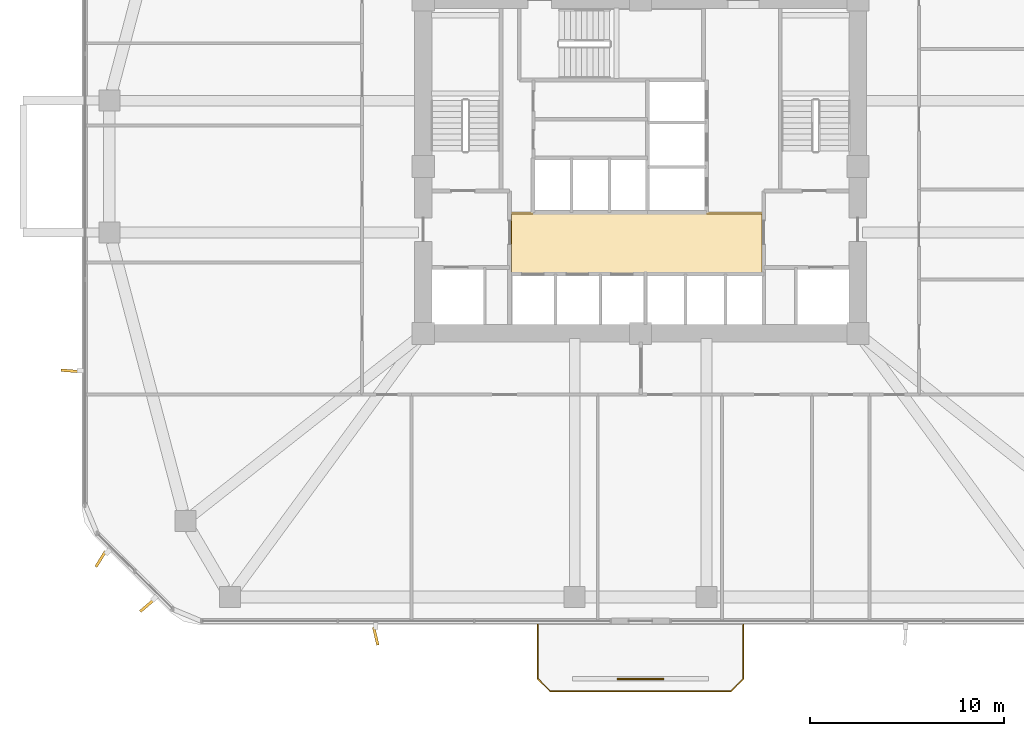
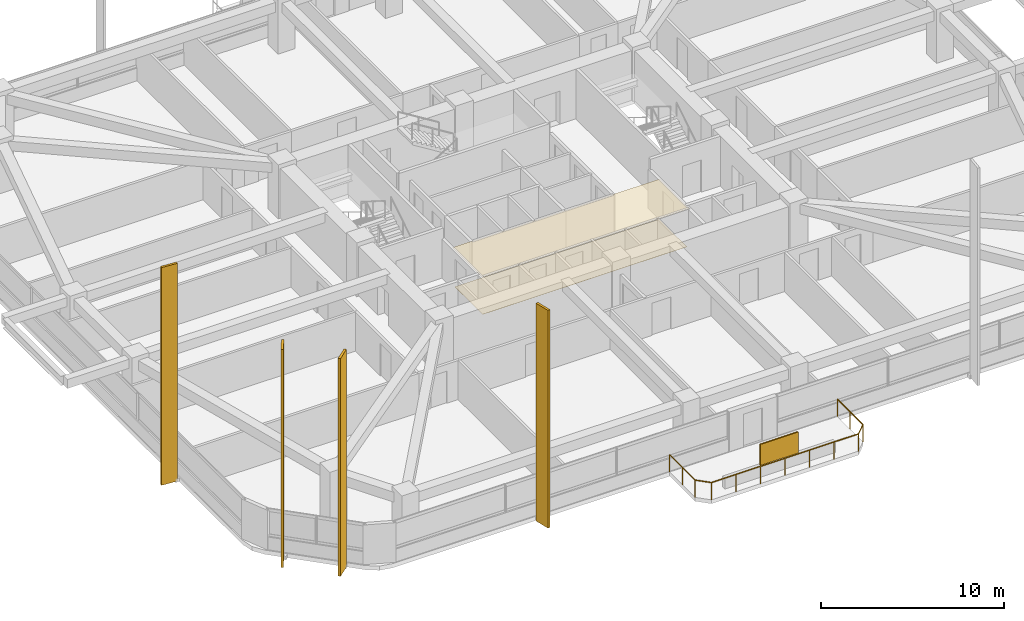
# One storey, part 13 of 17: 5 shading devices, 2 coverings, 1 railing.
"""IFC4 building model written with IfcOpenShell, lengths in metres."""

from ifc_helpers import new_model, si_unit, derived_unit, direction, frame, origin, origin_2d, place, context, subcontext, project, spatial, polyline, rectangle, outline, extrude, material, layer, layer_set, type_object, element, save


model = new_model("IFC4")

# Units and contexts
model_context = context("Model", 3, precision=1e-05, world=origin(), true_north=direction((0.0, 1.0)))
body_context = subcontext(model_context, "Body", "Model", "MODEL_VIEW")
ifc_project = project(units=[si_unit("LENGTHUNIT", "METRE"), si_unit("AREAUNIT", "SQUARE_METRE"), si_unit("VOLUMEUNIT", "CUBIC_METRE"), si_unit("PLANEANGLEUNIT", "RADIAN"), si_unit("MASSUNIT", "GRAM", prefix="KILO"), derived_unit("THERMALTRANSMITTANCEUNIT", [(si_unit("POWERUNIT", "WATT"), 1), (si_unit("LENGTHUNIT", "METRE"), -2), (si_unit("THERMODYNAMICTEMPERATUREUNIT", "KELVIN"), -1)])], contexts=[model_context])

# Site, building, storey
site_placement = place(None, origin())
site = spatial("IfcSite", under=ifc_project, at=site_placement, CompositionType="ELEMENT")
building_placement = place(site_placement, origin())
building = spatial("IfcBuilding", under=site, at=building_placement, Name="Koralith Skygarden Medical Center", CompositionType="ELEMENT")
storey_placement = place(building_placement, frame((0.0, 0.0, 38.340087890625)))
storey = spatial("IfcBuildingStorey", under=building, at=storey_placement, Name="L09", CompositionType="ELEMENT", Elevation=38.340087890625)

# Covering
ifc_material_1 = material(Name="Acoustic Mineral Tile")
ifc_layer_1 = layer(ifc_material_1, 0.02001953125)
ifc_layer_set_1 = layer_set([ifc_layer_1], Name="Acoustic Mineral Tile")
covering_type_1 = type_object("IfcCoveringType", Name="Acoustic Hygienic Mineral Ceiling 20", PredefinedType="CEILING", material=ifc_layer_set_1)
covering_1_placement = place(storey_placement, frame((0.0, 0.0, 2.5849609375)))
element("IfcCovering", 1, at=covering_1_placement, inside=storey, type_object=covering_type_1, Name="L09 Core Lobby Acoustic Ceiling", PredefinedType="CEILING", context=body_context, shape_type="SweptSolid", body=[
    extrude(outline(polyline([(30.25, 20.320068359375), (43.35009765625, 20.320068359375), (43.35009765625, 23.56005859375), (30.25, 23.56005859375), (30.25, 20.320068359375)])), origin(), (0.0, 0.0, 1.0), 0.02001953125),
])

# Shading devices
ifc_material_2 = material(Name="Aluminium 6063-T6", Category="aluminium")
shading_device_type_1 = type_object("IfcShadingDeviceType", Name="Limestone-Clad Solar Storm Fin 950", PredefinedType="USERDEFINED", material=ifc_material_2)
for number, where, z_axis, x_axis, name in (
    (2, (23.35009765625, 1.705078125, -0.2001953125), (0.0, 0.0, 1.0), (0.229251356627, -0.973367256222, 0.0), "L09 S Harmonic Solar Storm Fin 1"),
    (3, (7.60498046875, 15.3701171875, -0.2001953125), (0.0, 0.0, 1.0), (-0.996914594387, 0.07849389466, 0.0), "L09 W Harmonic Solar Storm Fin 2"),
    (4, (9.179931640625, 5.677978515625, -0.2001953125), (0.0, 0.0, 1.0), (-0.526169398592, -0.850379776327, 0.0), "L09 SW Harmonic Solar Storm Fin 1"),
    (5, (11.577880859375, 3.280029296875, -0.2001953125), (0.0, 0.0, 1.0), (-0.76042863515, -0.649421504759, 0.0), "L09 SW Harmonic Solar Storm Fin 2"),
):
    element("IfcShadingDevice", number, at=place(storey_placement, frame(where, z_axis=z_axis, x_axis=x_axis)), inside=storey, type_object=shading_device_type_1, Name=name, ObjectType="SOLAR FIN", PredefinedType="USERDEFINED", context=body_context, shape_type="SweptSolid", body=[
        extrude(rectangle(XDim=0.949951171875, YDim=0.139892578125, at=origin_2d()), origin(), (0.0, 0.0, 1.0), 14.550048828125),
    ])

# Railing
ifc_material_3 = material(Name="Steel ASTM A500 Grade C", Category="steel")
railing_type = type_object("IfcRailingType", Name="Outdoor Terrace & Balcony Safety Guardrail 1180", PredefinedType="GUARDRAIL", material=ifc_material_3)
railing_placement = place(storey_placement, frame((31.699951171875, 2.300048828125, 0.0)))
element("IfcRailing", 6, at=railing_placement, inside=storey, type_object=railing_type, Name="L09 S Balcony Perimeter Guardrail", PredefinedType="GUARDRAIL", context=body_context, shape_type="SweptSolid", body=[
    extrude(rectangle(XDim=0.050048828125, YDim=0.050048828125, at=origin_2d()), frame((0.0, -0.001953125, 1.15478515625), z_axis=(0.0, -1.0, 0.0), x_axis=(1.0, 0.0, 0.0)), (0.0, 0.0, 1.0), 2.796142578125),
    extrude(rectangle(XDim=0.050048828125, YDim=0.050048828125, at=origin_2d()), frame((0.00146484375, -2.801513671875, 1.15478515625), z_axis=(0.707239558722, -0.706973978714, 0.0), x_axis=(0.706973978714, 0.707239558722, 0.0)), (0.0, 0.0, 1.0), 0.915283203125),
    extrude(rectangle(XDim=0.050048828125, YDim=0.050048828125, at=origin_2d()), frame((0.652099609375, -3.449951171875, 1.15478515625), z_axis=(1.0, 0.0, 0.0), x_axis=(0.0, 1.0, 0.0)), (0.0, 0.0, 1.0), 9.2958984375),
    extrude(rectangle(XDim=0.050048828125, YDim=0.050048828125, at=origin_2d()), frame((9.951416015625, -3.448486328125, 1.15478515625), z_axis=(0.707239558722, 0.706973978714, 0.0), x_axis=(-0.706973978714, 0.707239558722, 0.0)), (0.0, 0.0, 1.0), 0.915283203125),
    extrude(rectangle(XDim=0.050048828125, YDim=0.050048828125, at=origin_2d()), frame((10.60009765625, -2.798095703125, 1.15478515625), z_axis=(0.0, 1.0, 0.0), x_axis=(-1.0, 0.0, 0.0)), (0.0, 0.0, 1.0), 2.796142578125),
    extrude(rectangle(XDim=0.0419921875, YDim=0.0419921875, at=origin_2d()), origin(), (0.0, 0.0, 1.0), 1.1279296875),
    extrude(rectangle(XDim=0.0419921875, YDim=0.0419921875, at=origin_2d()), frame((0.0, -1.39990234375, 0.0)), (0.0, 0.0, 1.0), 1.1279296875),
    extrude(rectangle(XDim=0.0419921875, YDim=0.0419921875, at=origin_2d()), frame((0.0, -2.800048828125, 0.0)), (0.0, 0.0, 1.0), 1.1279296875),
    extrude(rectangle(XDim=0.0419921875, YDim=0.0419921875, at=origin_2d()), frame((0.650146484375, -3.449951171875, 0.0)), (0.0, 0.0, 1.0), 1.1279296875),
    extrude(rectangle(XDim=0.0419921875, YDim=0.0419921875, at=origin_2d()), frame((2.2001953125, -3.449951171875, 0.0)), (0.0, 0.0, 1.0), 1.1279296875),
    extrude(rectangle(XDim=0.0419921875, YDim=0.0419921875, at=origin_2d()), frame((3.75, -3.449951171875, 0.0)), (0.0, 0.0, 1.0), 1.1279296875),
    extrude(rectangle(XDim=0.0419921875, YDim=0.0419921875, at=origin_2d()), frame((5.300048828125, -3.449951171875, 0.0)), (0.0, 0.0, 1.0), 1.1279296875),
    extrude(rectangle(XDim=0.0419921875, YDim=0.0419921875, at=origin_2d()), frame((6.85009765625, -3.449951171875, 0.0)), (0.0, 0.0, 1.0), 1.1279296875),
    extrude(rectangle(XDim=0.0419921875, YDim=0.0419921875, at=origin_2d()), frame((8.39990234375, -3.449951171875, 0.0)), (0.0, 0.0, 1.0), 1.1279296875),
    extrude(rectangle(XDim=0.0419921875, YDim=0.0419921875, at=origin_2d()), frame((9.949951171875, -3.449951171875, 0.0)), (0.0, 0.0, 1.0), 1.1279296875),
    extrude(rectangle(XDim=0.0419921875, YDim=0.0419921875, at=origin_2d()), frame((10.60009765625, -2.800048828125, 0.0)), (0.0, 0.0, 1.0), 1.1279296875),
    extrude(rectangle(XDim=0.0419921875, YDim=0.0419921875, at=origin_2d()), frame((10.60009765625, -1.39990234375, 0.0)), (0.0, 0.0, 1.0), 1.1279296875),
    extrude(rectangle(XDim=0.0419921875, YDim=0.0419921875, at=origin_2d()), frame((10.60009765625, 0.0, 0.0)), (0.0, 0.0, 1.0), 1.1279296875),
])

# Shading device
ifc_layer_2 = layer(ifc_material_2, 0.080078125)
ifc_layer_set_2 = layer_set([ifc_layer_2], Name="Aluminium 6063-T6")
shading_device_type_2 = type_object("IfcShadingDeviceType", Name="Perforated Biophilic Balcony Trellis Screen", PredefinedType="USERDEFINED", material=ifc_layer_set_2)
shading_device_placement = place(storey_placement, frame((37.0, -0.5, 0.719970703125), z_axis=(0.0, 0.0, 1.0), x_axis=(1.0, 0.0, 0.0)))
element("IfcShadingDevice", 7, at=shading_device_placement, inside=storey, type_object=shading_device_type_2, Name="L09 S Biophilic Balcony Trellis Screen", ObjectType="HURRICANE SCREEN", PredefinedType="USERDEFINED", context=body_context, shape_type="SweptSolid", body=[
    extrude(rectangle(XDim=2.39990234375, YDim=0.080078125, at=origin_2d()), origin(), (0.0, 0.0, 1.0), 1.39990234375),
])

# Covering
ifc_material_4 = material(Name="Medical Terrazzo Flooring")
ifc_layer_3 = layer(ifc_material_4, 0.014892578125)
ifc_layer_set_3 = layer_set([ifc_layer_3], Name="Medical Terrazzo Flooring")
covering_type_2 = type_object("IfcCoveringType", Name="Seamless Antimicrobial Terrazzo Flooring 15", PredefinedType="FLOORING", material=ifc_layer_set_3)
covering_2_placement = place(storey_placement, origin())
element("IfcCovering", 8, at=covering_2_placement, inside=storey, type_object=covering_type_2, Name="L09 Core Lobby Terrazzo Flooring", PredefinedType="FLOORING", context=body_context, shape_type="SweptSolid", body=[
    extrude(outline(polyline([(30.35009765625, 20.419921875), (43.25, 20.419921875), (43.25, 23.4599609375), (30.35009765625, 23.4599609375), (30.35009765625, 20.419921875)])), origin(), (0.0, 0.0, 1.0), 0.014892578125),
])

save(model, "model.ifc")
